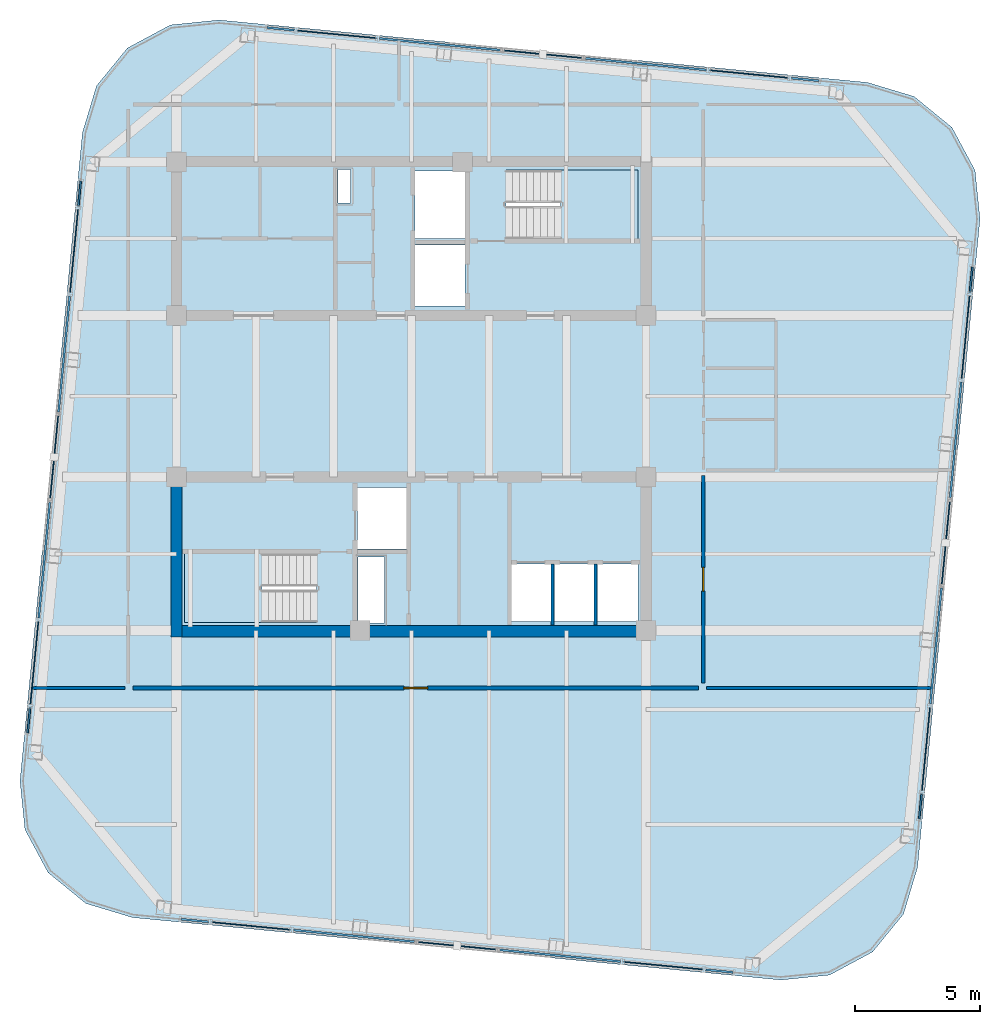
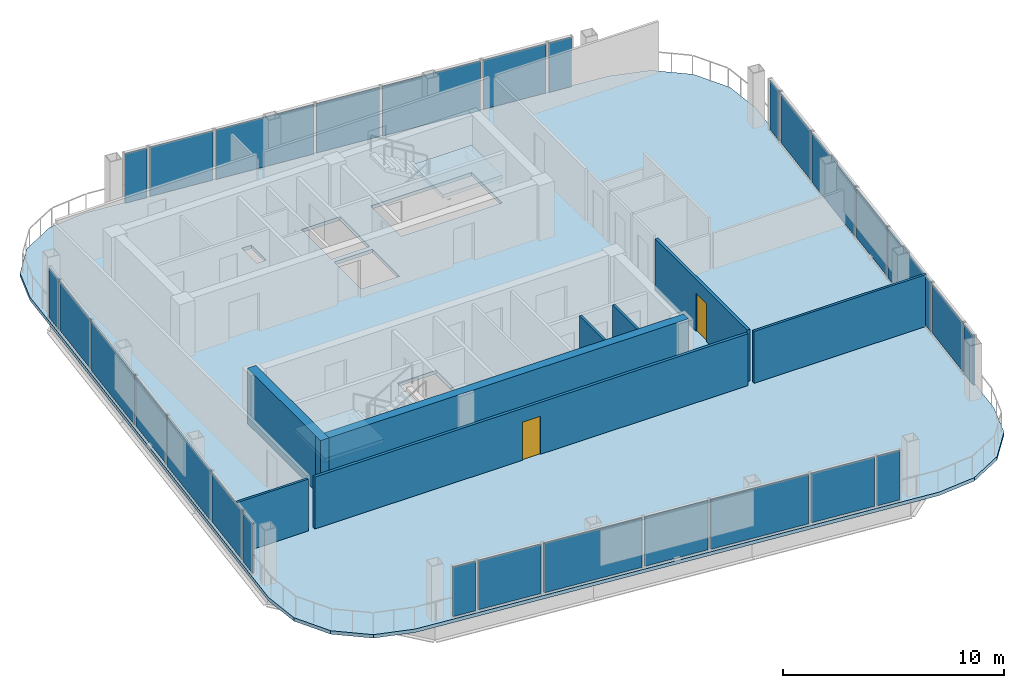
# One storey, part 16 of 22: 28 plates, 8 walls, 3 slabs, 2 doors, 2 openings, 30 elements without a shape of their own.
"""IFC4 building model written with IfcOpenShell, lengths in metres."""

from ifc_helpers import new_model, si_unit, direction, frame, frame_2d, origin, origin_2d, place, context, subcontext, project, spatial, polyline, rectangle, outline, extrude, material, layer, layer_set, type_object, element, fill, aggregate, save


model = new_model("IFC4")

# Units and contexts
model_context = context("Model", 3, precision=1e-05, world=origin(), true_north=direction((0.0, 1.0)))
body_context = subcontext(model_context, "Body", "Model", "MODEL_VIEW")
ifc_project = project(units=[si_unit("LENGTHUNIT", "METRE"), si_unit("AREAUNIT", "SQUARE_METRE"), si_unit("VOLUMEUNIT", "CUBIC_METRE"), si_unit("PLANEANGLEUNIT", "RADIAN"), si_unit("MASSUNIT", "GRAM", prefix="KILO")], contexts=[model_context])

# Site, building, storey
site_placement = place(None, origin())
site = spatial("IfcSite", under=ifc_project, at=site_placement, CompositionType="ELEMENT")
building_placement = place(site_placement, origin())
building = spatial("IfcBuilding", under=site, at=building_placement, Name="Qhalaya Broadcast Tower", CompositionType="ELEMENT")
storey_placement = place(building_placement, frame((0.0, 0.0, 245.89990234375)))
storey = spatial("IfcBuildingStorey", under=building, at=storey_placement, Name="L72", CompositionType="ELEMENT", Elevation=245.89990234375)

# Curtain wall, plate
ifc_material_1 = material(Name="Fired Architectural Terracotta", Category="masonry")
ifc_layer_1 = layer(ifc_material_1, 0.219970703125, Name="Fired Architectural Terracotta")
ifc_layer_set_1 = layer_set([ifc_layer_1], Name="Fired Architectural Terracotta")
curtain_wall_type_1 = type_object("IfcCurtainWallType", Name="Block-Cap Unitised Terracotta Spandrel Wall CW-07", PredefinedType="NOTDEFINED", material=ifc_layer_set_1)
curtain_wall_1_placement = place(storey_placement, origin())
curtain_wall_1 = element("IfcCurtainWall", 1, at=curtain_wall_1_placement, inside=storey, type_object=curtain_wall_type_1, Name="L72 Unitised Curtain Wall L72-CW-S1", PredefinedType="NOTDEFINED")
ifc_layer_2 = layer(ifc_material_1, 0.080078125, Name="Fired Architectural Terracotta")
ifc_layer_set_2 = layer_set([ifc_layer_2], Name="Fired Architectural Terracotta")
plate_type_1 = type_object("IfcPlateType", Name="Insulated Terracotta Spandrel Panel TSP-07", PredefinedType="CURTAIN_PANEL", material=ifc_layer_set_2)
plate_1_placement = place(storey_placement, frame((-8.650390625, -20.328857421875, 0.0751953125), z_axis=(0.0, 0.0, 1.0), x_axis=(0.995396414656, -0.095843506251, 0.0)))
plate_1 = element("IfcPlate", 2, at=plate_1_placement, type_object=plate_type_1, Name="CW-07 panel 1.1", PredefinedType="CURTAIN_PANEL", context=body_context, shape_type="SweptSolid", body=[
    extrude(rectangle(XDim=1.099853515625, YDim=0.080078125, at=origin_2d()), origin(), (0.0, 0.0, 1.0), 2.7099609375),
])
aggregate(curtain_wall_1, [plate_1])

curtain_wall_2_placement = place(storey_placement, origin())
curtain_wall_2 = element("IfcCurtainWall", 3, at=curtain_wall_2_placement, inside=storey, type_object=curtain_wall_type_1, Name="L72 Unitised Curtain Wall L72-CW-S3", PredefinedType="NOTDEFINED")
plate_2_placement = place(storey_placement, frame((-2.2880859375, -20.94140625, 0.0751953125), z_axis=(0.0, 0.0, 1.0), x_axis=(0.995394803391, -0.095860238798, 0.0)))
plate_2 = element("IfcPlate", 4, at=plate_2_placement, type_object=plate_type_1, Name="CW-07 panel 1.1", PredefinedType="CURTAIN_PANEL", context=body_context, shape_type="SweptSolid", body=[
    extrude(rectangle(XDim=4.85107421875, YDim=0.080078125, at=origin_2d()), origin(), (0.0, 0.0, 1.0), 2.7099609375),
])
aggregate(curtain_wall_2, [plate_2])

curtain_wall_3_placement = place(storey_placement, origin())
curtain_wall_3 = element("IfcCurtainWall", 5, at=curtain_wall_3_placement, inside=storey, type_object=curtain_wall_type_1, Name="L72 Unitised Curtain Wall L72-CW-S5", PredefinedType="NOTDEFINED")
plate_3_placement = place(storey_placement, frame((5.940185546875, -21.73388671875, 0.0751953125), z_axis=(0.0, 0.0, 1.0), x_axis=(0.995394873929, -0.095859506338, 0.0)))
plate_3 = element("IfcPlate", 6, at=plate_3_placement, type_object=plate_type_1, Name="CW-07 panel 1.1", PredefinedType="CURTAIN_PANEL", context=body_context, shape_type="SweptSolid", body=[
    extrude(rectangle(XDim=4.85009765625, YDim=0.080078125, at=origin_2d()), origin(), (0.0, 0.0, 1.0), 2.7099609375),
])
aggregate(curtain_wall_3, [plate_3])

curtain_wall_4_placement = place(storey_placement, origin())
curtain_wall_4 = element("IfcCurtainWall", 7, at=curtain_wall_4_placement, inside=storey, type_object=curtain_wall_type_1, Name="L72 Unitised Curtain Wall L72-CW-S7", PredefinedType="NOTDEFINED")
plate_4_placement = place(storey_placement, frame((12.302734375, -22.346435546875, 0.0751953125), z_axis=(0.0, 0.0, 1.0), x_axis=(0.995396414656, -0.095843506251, 0.0)))
plate_4 = element("IfcPlate", 8, at=plate_4_placement, type_object=plate_type_1, Name="CW-07 panel 1.1", PredefinedType="CURTAIN_PANEL", context=body_context, shape_type="SweptSolid", body=[
    extrude(rectangle(XDim=1.099853515625, YDim=0.080078125, at=origin_2d()), origin(), (0.0, 0.0, 1.0), 2.7099609375),
])
aggregate(curtain_wall_4, [plate_4])

curtain_wall_5_placement = place(storey_placement, origin())
curtain_wall_5 = element("IfcCurtainWall", 9, at=curtain_wall_5_placement, inside=storey, type_object=curtain_wall_type_1, Name="L72 Unitised Curtain Wall L72-CW-E1", PredefinedType="NOTDEFINED")
plate_5_placement = place(storey_placement, frame((20.32421875, -15.778076171875, 0.0751953125), z_axis=(0.0, 0.0, 1.0), x_axis=(0.095839545253, 0.995396796039, 0.0)))
plate_5 = element("IfcPlate", 10, at=plate_5_placement, type_object=plate_type_1, Name="CW-07 panel 1.1", PredefinedType="CURTAIN_PANEL", context=body_context, shape_type="SweptSolid", body=[
    extrude(rectangle(XDim=1.00390625, YDim=0.080078125, at=origin_2d()), origin(), (0.0, 0.0, 1.0), 2.7099609375),
])
aggregate(curtain_wall_5, [plate_5])

curtain_wall_6_placement = place(storey_placement, origin())
curtain_wall_6 = element("IfcCurtainWall", 11, at=curtain_wall_6_placement, inside=storey, type_object=curtain_wall_type_1, Name="L72 Unitised Curtain Wall L72-CW-E3", PredefinedType="NOTDEFINED")
plate_6_placement = place(storey_placement, frame((20.941650390625, -9.36767578125, 0.0751953125), z_axis=(0.0, 0.0, 1.0), x_axis=(0.095862212639, 0.995394613301, 0.0)))
plate_6 = element("IfcPlate", 12, at=plate_6_placement, type_object=plate_type_1, Name="CW-07 panel 1.1", PredefinedType="CURTAIN_PANEL", context=body_context, shape_type="SweptSolid", body=[
    extrude(rectangle(XDim=4.657958984375, YDim=0.080078125, at=origin_2d()), origin(), (0.0, 0.0, 1.0), 2.7099609375),
])
aggregate(curtain_wall_6, [plate_6])

curtain_wall_7_placement = place(storey_placement, origin())
curtain_wall_7 = element("IfcCurtainWall", 13, at=curtain_wall_7_placement, inside=storey, type_object=curtain_wall_type_1, Name="L72 Unitised Curtain Wall L72-CW-E5", PredefinedType="NOTDEFINED")
plate_7_placement = place(storey_placement, frame((21.73388671875, -1.1396484375, 0.0751953125), z_axis=(0.0, 0.0, 1.0), x_axis=(0.095860228044, 0.995394804427, 0.0)))
plate_7 = element("IfcPlate", 14, at=plate_7_placement, type_object=plate_type_1, Name="CW-07 panel 1.1", PredefinedType="CURTAIN_PANEL", context=body_context, shape_type="SweptSolid", body=[
    extrude(rectangle(XDim=4.657958984375, YDim=0.080078125, at=origin_2d()), origin(), (0.0, 0.0, 1.0), 2.7099609375),
])
aggregate(curtain_wall_7, [plate_7])

curtain_wall_8_placement = place(storey_placement, origin())
curtain_wall_8 = element("IfcCurtainWall", 15, at=curtain_wall_8_placement, inside=storey, type_object=curtain_wall_type_1, Name="L72 Unitised Curtain Wall L72-CW-E7", PredefinedType="NOTDEFINED")
plate_8_placement = place(storey_placement, frame((22.35107421875, 5.2705078125, 0.0751953125), z_axis=(0.0, 0.0, 1.0), x_axis=(0.095839545253, 0.995396796039, 0.0)))
plate_8 = element("IfcPlate", 16, at=plate_8_placement, type_object=plate_type_1, Name="CW-07 panel 1.1", PredefinedType="CURTAIN_PANEL", context=body_context, shape_type="SweptSolid", body=[
    extrude(rectangle(XDim=1.00390625, YDim=0.080078125, at=origin_2d()), origin(), (0.0, 0.0, 1.0), 2.7099609375),
])
aggregate(curtain_wall_8, [plate_8])

curtain_wall_9_placement = place(storey_placement, origin())
curtain_wall_9 = element("IfcCurtainWall", 17, at=curtain_wall_9_placement, inside=storey, type_object=curtain_wall_type_1, Name="L72 Unitised Curtain Wall L72-CW-N1", PredefinedType="NOTDEFINED")
plate_9_placement = place(storey_placement, frame((15.730224609375, 13.248779296875, 0.0751953125), z_axis=(0.0, 0.0, 1.0), x_axis=(-0.995396414656, 0.095843506251, 0.0)))
plate_9 = element("IfcPlate", 18, at=plate_9_placement, type_object=plate_type_1, Name="CW-07 panel 1.1", PredefinedType="CURTAIN_PANEL", context=body_context, shape_type="SweptSolid", body=[
    extrude(rectangle(XDim=1.099853515625, YDim=0.080078125, at=origin_2d()), origin(), (0.0, 0.0, 1.0), 2.7099609375),
])
aggregate(curtain_wall_9, [plate_9])

curtain_wall_10_placement = place(storey_placement, origin())
curtain_wall_10 = element("IfcCurtainWall", 19, at=curtain_wall_10_placement, inside=storey, type_object=curtain_wall_type_1, Name="L72 Unitised Curtain Wall L72-CW-N3", PredefinedType="NOTDEFINED")
plate_10_placement = place(storey_placement, frame((9.3681640625, 13.861572265625, 0.0751953125), z_axis=(0.0, 0.0, 1.0), x_axis=(-0.995394803391, 0.095860238798, 0.0)))
plate_10 = element("IfcPlate", 20, at=plate_10_placement, type_object=plate_type_1, Name="CW-07 panel 1.1", PredefinedType="CURTAIN_PANEL", context=body_context, shape_type="SweptSolid", body=[
    extrude(rectangle(XDim=4.85107421875, YDim=0.080078125, at=origin_2d()), origin(), (0.0, 0.0, 1.0), 2.7099609375),
])
aggregate(curtain_wall_10, [plate_10])

curtain_wall_11_placement = place(storey_placement, origin())
curtain_wall_11 = element("IfcCurtainWall", 21, at=curtain_wall_11_placement, inside=storey, type_object=curtain_wall_type_1, Name="L72 Unitised Curtain Wall L72-CW-N5", PredefinedType="NOTDEFINED")
plate_11_placement = place(storey_placement, frame((1.139892578125, 14.65380859375, 0.0751953125), z_axis=(0.0, 0.0, 1.0), x_axis=(-0.995394873929, 0.095859506338, 0.0)))
plate_11 = element("IfcPlate", 22, at=plate_11_placement, type_object=plate_type_1, Name="CW-07 panel 1.1", PredefinedType="CURTAIN_PANEL", context=body_context, shape_type="SweptSolid", body=[
    extrude(rectangle(XDim=4.85009765625, YDim=0.080078125, at=origin_2d()), origin(), (0.0, 0.0, 1.0), 2.7099609375),
])
aggregate(curtain_wall_11, [plate_11])

curtain_wall_12_placement = place(storey_placement, origin())
curtain_wall_12 = element("IfcCurtainWall", 23, at=curtain_wall_12_placement, inside=storey, type_object=curtain_wall_type_1, Name="L72 Unitised Curtain Wall L72-CW-N7", PredefinedType="NOTDEFINED")
plate_12_placement = place(storey_placement, frame((-5.222900390625, 15.2666015625, 0.0751953125), z_axis=(0.0, 0.0, 1.0), x_axis=(-0.995396414656, 0.095843506251, 0.0)))
plate_12 = element("IfcPlate", 24, at=plate_12_placement, type_object=plate_type_1, Name="CW-07 panel 1.1", PredefinedType="CURTAIN_PANEL", context=body_context, shape_type="SweptSolid", body=[
    extrude(rectangle(XDim=1.099853515625, YDim=0.080078125, at=origin_2d()), origin(), (0.0, 0.0, 1.0), 2.7099609375),
])
aggregate(curtain_wall_12, [plate_12])

curtain_wall_13_placement = place(storey_placement, origin())
curtain_wall_13 = element("IfcCurtainWall", 25, at=curtain_wall_13_placement, inside=storey, type_object=curtain_wall_type_1, Name="L72 Unitised Curtain Wall L72-CW-W1", PredefinedType="NOTDEFINED")
plate_13_placement = place(storey_placement, frame((-13.244384765625, 8.697998046875, 0.0751953125), z_axis=(0.0, 0.0, 1.0), x_axis=(-0.095839545253, -0.995396796039, 0.0)))
plate_13 = element("IfcPlate", 26, at=plate_13_placement, type_object=plate_type_1, Name="CW-07 panel 1.1", PredefinedType="CURTAIN_PANEL", context=body_context, shape_type="SweptSolid", body=[
    extrude(rectangle(XDim=1.00390625, YDim=0.080078125, at=origin_2d()), origin(), (0.0, 0.0, 1.0), 2.7099609375),
])
aggregate(curtain_wall_13, [plate_13])

curtain_wall_14_placement = place(storey_placement, origin())
curtain_wall_14 = element("IfcCurtainWall", 27, at=curtain_wall_14_placement, inside=storey, type_object=curtain_wall_type_1, Name="L72 Unitised Curtain Wall L72-CW-W3", PredefinedType="NOTDEFINED")
plate_14_placement = place(storey_placement, frame((-13.861572265625, 2.28759765625, 0.0751953125), z_axis=(0.0, 0.0, 1.0), x_axis=(-0.095862212639, -0.995394613301, 0.0)))
plate_14 = element("IfcPlate", 28, at=plate_14_placement, type_object=plate_type_1, Name="CW-07 panel 1.1", PredefinedType="CURTAIN_PANEL", context=body_context, shape_type="SweptSolid", body=[
    extrude(rectangle(XDim=4.657958984375, YDim=0.080078125, at=origin_2d()), origin(), (0.0, 0.0, 1.0), 2.7099609375),
])
aggregate(curtain_wall_14, [plate_14])

curtain_wall_15_placement = place(storey_placement, origin())
curtain_wall_15 = element("IfcCurtainWall", 29, at=curtain_wall_15_placement, inside=storey, type_object=curtain_wall_type_1, Name="L72 Unitised Curtain Wall L72-CW-W5", PredefinedType="NOTDEFINED")
plate_15_placement = place(storey_placement, frame((-14.65380859375, -5.940185546875, 0.0751953125), z_axis=(0.0, 0.0, 1.0), x_axis=(-0.095860228044, -0.995394804427, 0.0)))
plate_15 = element("IfcPlate", 30, at=plate_15_placement, type_object=plate_type_1, Name="CW-07 panel 1.1", PredefinedType="CURTAIN_PANEL", context=body_context, shape_type="SweptSolid", body=[
    extrude(rectangle(XDim=4.657958984375, YDim=0.080078125, at=origin_2d()), origin(), (0.0, 0.0, 1.0), 2.7099609375),
])
aggregate(curtain_wall_15, [plate_15])

curtain_wall_16_placement = place(storey_placement, origin())
curtain_wall_16 = element("IfcCurtainWall", 31, at=curtain_wall_16_placement, inside=storey, type_object=curtain_wall_type_1, Name="L72 Unitised Curtain Wall L72-CW-W7", PredefinedType="NOTDEFINED")
plate_16_placement = place(storey_placement, frame((-15.27099609375, -12.3505859375, 0.0751953125), z_axis=(0.0, 0.0, 1.0), x_axis=(-0.095839545253, -0.995396796039, 0.0)))
plate_16 = element("IfcPlate", 32, at=plate_16_placement, type_object=plate_type_1, Name="CW-07 panel 1.1", PredefinedType="CURTAIN_PANEL", context=body_context, shape_type="SweptSolid", body=[
    extrude(rectangle(XDim=1.00390625, YDim=0.080078125, at=origin_2d()), origin(), (0.0, 0.0, 1.0), 2.7099609375),
])
aggregate(curtain_wall_16, [plate_16])

ifc_material_2 = material(Name="Solar-Control Low-E Triple Glazing", Category="glass")
ifc_layer_3 = layer(ifc_material_2, 0.219970703125, Name="Solar-Control Low-E Triple Glazing")
ifc_layer_set_3 = layer_set([ifc_layer_3], Name="Solar-Control Low-E Triple Glazing")
curtain_wall_type_2 = type_object("IfcCurtainWallType", Name="High-Altitude Upper-Shaft Triple Low-E Curtain Wall CW-04", PredefinedType="NOTDEFINED", material=ifc_layer_set_3)
curtain_wall_17_placement = place(storey_placement, origin())
curtain_wall_17 = element("IfcCurtainWall", 33, at=curtain_wall_17_placement, inside=storey, type_object=curtain_wall_type_2, Name="L72 Unitised Curtain Wall L72-CW-S2", PredefinedType="NOTDEFINED")
ifc_layer_4 = layer(ifc_material_2, 0.0419921875, Name="Solar-Control Low-E Triple Glazing")
ifc_layer_set_4 = layer_set([ifc_layer_4], Name="Solar-Control Low-E Triple Glazing")
plate_type_2 = type_object("IfcPlateType", Name="Solar-Control Curtain Glazing Panel GLP-04", PredefinedType="CURTAIN_PANEL", material=ifc_layer_set_4)
plate_17_placement = place(storey_placement, frame((-6.402587890625, -20.54541015625, 0.0751953125), z_axis=(0.0, 0.0, 1.0), x_axis=(0.99539724102, -0.095834923543, 0.0)))
plate_17 = element("IfcPlate", 34, at=plate_17_placement, type_object=plate_type_2, Name="CW-04 panel 1.1", PredefinedType="CURTAIN_PANEL", context=body_context, shape_type="SweptSolid", body=[
    extrude(rectangle(XDim=3.115966796875, YDim=0.0419921875, at=origin_2d()), origin(), (0.0, 0.0, 1.0), 2.7099609375),
])
aggregate(curtain_wall_17, [plate_17])

curtain_wall_18_placement = place(storey_placement, origin())
curtain_wall_18 = element("IfcCurtainWall", 35, at=curtain_wall_18_placement, inside=storey, type_object=curtain_wall_type_2, Name="L72 Unitised Curtain Wall L72-CW-S4", PredefinedType="NOTDEFINED")
plate_18_placement = place(storey_placement, frame((1.826171875, -21.337646484375, 0.0751953125), z_axis=(0.0, 0.0, 1.0), x_axis=(0.995396959799, -0.095837844424, 0.0)))
plate_18 = element("IfcPlate", 36, at=plate_18_placement, type_object=plate_type_2, Name="CW-04 panel 1.1", PredefinedType="CURTAIN_PANEL", context=body_context, shape_type="SweptSolid", body=[
    extrude(rectangle(XDim=3.115966796875, YDim=0.0419921875, at=origin_2d()), origin(), (0.0, 0.0, 1.0), 2.7099609375),
])
aggregate(curtain_wall_18, [plate_18])

curtain_wall_19_placement = place(storey_placement, origin())
curtain_wall_19 = element("IfcCurtainWall", 37, at=curtain_wall_19_placement, inside=storey, type_object=curtain_wall_type_2, Name="L72 Unitised Curtain Wall L72-CW-S6", PredefinedType="NOTDEFINED")
plate_19_placement = place(storey_placement, frame((10.0546875, -22.130126953125, 0.0751953125), z_axis=(0.0, 0.0, 1.0), x_axis=(0.995397132343, -0.095836052317, 0.0)))
plate_19 = element("IfcPlate", 38, at=plate_19_placement, type_object=plate_type_2, Name="CW-04 panel 1.1", PredefinedType="CURTAIN_PANEL", context=body_context, shape_type="SweptSolid", body=[
    extrude(rectangle(XDim=3.116943359375, YDim=0.0419921875, at=origin_2d()), origin(), (0.0, 0.0, 1.0), 2.7099609375),
])
aggregate(curtain_wall_19, [plate_19])

curtain_wall_20_placement = place(storey_placement, origin())
curtain_wall_20 = element("IfcCurtainWall", 39, at=curtain_wall_20_placement, inside=storey, type_object=curtain_wall_type_2, Name="L72 Unitised Curtain Wall L72-CW-E2", PredefinedType="NOTDEFINED")
plate_20_placement = place(storey_placement, frame((20.54541015625, -13.482177734375, 0.0751953125), z_axis=(0.0, 0.0, 1.0), x_axis=(0.095836350923, 0.995397103593, 0.0)))
plate_20 = element("IfcPlate", 40, at=plate_20_placement, type_object=plate_type_2, Name="CW-04 panel 1.1", PredefinedType="CURTAIN_PANEL", context=body_context, shape_type="SweptSolid", body=[
    extrude(rectangle(XDim=3.30908203125, YDim=0.0419921875, at=origin_2d()), origin(), (0.0, 0.0, 1.0), 2.7099609375),
])
aggregate(curtain_wall_20, [plate_20])

curtain_wall_21_placement = place(storey_placement, origin())
curtain_wall_21 = element("IfcCurtainWall", 41, at=curtain_wall_21_placement, inside=storey, type_object=curtain_wall_type_2, Name="L72 Unitised Curtain Wall L72-CW-E4", PredefinedType="NOTDEFINED")
plate_21_placement = place(storey_placement, frame((21.337646484375, -5.253662109375, 0.0751953125), z_axis=(0.0, 0.0, 1.0), x_axis=(0.095835284901, 0.995397206229, 0.0)))
plate_21 = element("IfcPlate", 42, at=plate_21_placement, type_object=plate_type_2, Name="CW-04 panel 1.1", PredefinedType="CURTAIN_PANEL", context=body_context, shape_type="SweptSolid", body=[
    extrude(rectangle(XDim=3.30810546875, YDim=0.0419921875, at=origin_2d()), origin(), (0.0, 0.0, 1.0), 2.7099609375),
])
aggregate(curtain_wall_21, [plate_21])

curtain_wall_22_placement = place(storey_placement, origin())
curtain_wall_22 = element("IfcCurtainWall", 43, at=curtain_wall_22_placement, inside=storey, type_object=curtain_wall_type_2, Name="L72 Unitised Curtain Wall L72-CW-E6", PredefinedType="NOTDEFINED")
plate_22_placement = place(storey_placement, frame((22.130126953125, 2.974609375, 0.0751953125), z_axis=(0.0, 0.0, 1.0), x_axis=(0.095839108862, 0.995396838056, 0.0)))
plate_22 = element("IfcPlate", 44, at=plate_22_placement, type_object=plate_type_2, Name="CW-04 panel 1.1", PredefinedType="CURTAIN_PANEL", context=body_context, shape_type="SweptSolid", body=[
    extrude(rectangle(XDim=3.308837890625, YDim=0.0419921875, at=origin_2d()), origin(), (0.0, 0.0, 1.0), 2.7099609375),
])
aggregate(curtain_wall_22, [plate_22])

curtain_wall_23_placement = place(storey_placement, origin())
curtain_wall_23 = element("IfcCurtainWall", 45, at=curtain_wall_23_placement, inside=storey, type_object=curtain_wall_type_2, Name="L72 Unitised Curtain Wall L72-CW-N2", PredefinedType="NOTDEFINED")
plate_23_placement = place(storey_placement, frame((13.482666015625, 13.46533203125, 0.0751953125), z_axis=(0.0, 0.0, 1.0), x_axis=(-0.99539724102, 0.095834923543, 0.0)))
plate_23 = element("IfcPlate", 46, at=plate_23_placement, type_object=plate_type_2, Name="CW-04 panel 1.1", PredefinedType="CURTAIN_PANEL", context=body_context, shape_type="SweptSolid", body=[
    extrude(rectangle(XDim=3.115966796875, YDim=0.0419921875, at=origin_2d()), origin(), (0.0, 0.0, 1.0), 2.7099609375),
])
aggregate(curtain_wall_23, [plate_23])

curtain_wall_24_placement = place(storey_placement, origin())
curtain_wall_24 = element("IfcCurtainWall", 47, at=curtain_wall_24_placement, inside=storey, type_object=curtain_wall_type_2, Name="L72 Unitised Curtain Wall L72-CW-N4", PredefinedType="NOTDEFINED")
plate_24_placement = place(storey_placement, frame((5.253662109375, 14.2578125, 0.0751953125), z_axis=(0.0, 0.0, 1.0), x_axis=(-0.995396959799, 0.095837844424, 0.0)))
plate_24 = element("IfcPlate", 48, at=plate_24_placement, type_object=plate_type_2, Name="CW-04 panel 1.1", PredefinedType="CURTAIN_PANEL", context=body_context, shape_type="SweptSolid", body=[
    extrude(rectangle(XDim=3.115966796875, YDim=0.0419921875, at=origin_2d()), origin(), (0.0, 0.0, 1.0), 2.7099609375),
])
aggregate(curtain_wall_24, [plate_24])

curtain_wall_25_placement = place(storey_placement, origin())
curtain_wall_25 = element("IfcCurtainWall", 49, at=curtain_wall_25_placement, inside=storey, type_object=curtain_wall_type_2, Name="L72 Unitised Curtain Wall L72-CW-N6", PredefinedType="NOTDEFINED")
plate_25_placement = place(storey_placement, frame((-2.974609375, 15.050048828125, 0.0751953125), z_axis=(0.0, 0.0, 1.0), x_axis=(-0.995397132343, 0.095836052317, 0.0)))
plate_25 = element("IfcPlate", 50, at=plate_25_placement, type_object=plate_type_2, Name="CW-04 panel 1.1", PredefinedType="CURTAIN_PANEL", context=body_context, shape_type="SweptSolid", body=[
    extrude(rectangle(XDim=3.116943359375, YDim=0.0419921875, at=origin_2d()), origin(), (0.0, 0.0, 1.0), 2.7099609375),
])
aggregate(curtain_wall_25, [plate_25])

curtain_wall_26_placement = place(storey_placement, origin())
curtain_wall_26 = element("IfcCurtainWall", 51, at=curtain_wall_26_placement, inside=storey, type_object=curtain_wall_type_2, Name="L72 Unitised Curtain Wall L72-CW-W2", PredefinedType="NOTDEFINED")
plate_26_placement = place(storey_placement, frame((-13.46533203125, 6.402099609375, 0.0751953125), z_axis=(0.0, 0.0, 1.0), x_axis=(-0.095836350923, -0.995397103593, 0.0)))
plate_26 = element("IfcPlate", 52, at=plate_26_placement, type_object=plate_type_2, Name="CW-04 panel 1.1", PredefinedType="CURTAIN_PANEL", context=body_context, shape_type="SweptSolid", body=[
    extrude(rectangle(XDim=3.30908203125, YDim=0.0419921875, at=origin_2d()), origin(), (0.0, 0.0, 1.0), 2.7099609375),
])
aggregate(curtain_wall_26, [plate_26])

curtain_wall_27_placement = place(storey_placement, origin())
curtain_wall_27 = element("IfcCurtainWall", 53, at=curtain_wall_27_placement, inside=storey, type_object=curtain_wall_type_2, Name="L72 Unitised Curtain Wall L72-CW-W4", PredefinedType="NOTDEFINED")
plate_27_placement = place(storey_placement, frame((-14.2578125, -1.826171875, 0.0751953125), z_axis=(0.0, 0.0, 1.0), x_axis=(-0.095835284901, -0.995397206229, 0.0)))
plate_27 = element("IfcPlate", 54, at=plate_27_placement, type_object=plate_type_2, Name="CW-04 panel 1.1", PredefinedType="CURTAIN_PANEL", context=body_context, shape_type="SweptSolid", body=[
    extrude(rectangle(XDim=3.30810546875, YDim=0.0419921875, at=origin_2d()), origin(), (0.0, 0.0, 1.0), 2.7099609375),
])
aggregate(curtain_wall_27, [plate_27])

curtain_wall_28_placement = place(storey_placement, origin())
curtain_wall_28 = element("IfcCurtainWall", 55, at=curtain_wall_28_placement, inside=storey, type_object=curtain_wall_type_2, Name="L72 Unitised Curtain Wall L72-CW-W6", PredefinedType="NOTDEFINED")
plate_28_placement = place(storey_placement, frame((-15.050048828125, -10.0546875, 0.0751953125), z_axis=(0.0, 0.0, 1.0), x_axis=(-0.095839108862, -0.995396838056, 0.0)))
plate_28 = element("IfcPlate", 56, at=plate_28_placement, type_object=plate_type_2, Name="CW-04 panel 1.1", PredefinedType="CURTAIN_PANEL", context=body_context, shape_type="SweptSolid", body=[
    extrude(rectangle(XDim=3.308837890625, YDim=0.0419921875, at=origin_2d()), origin(), (0.0, 0.0, 1.0), 2.7099609375),
])
aggregate(curtain_wall_28, [plate_28])

# Stair, slab
ifc_material_3 = material(Name="Concrete C40/50", Category="concrete")
stair_type = type_object("IfcStairType", Name="Protected Dogleg Core Stair 3150", PredefinedType="TWO_STRAIGHT_RUN_STAIR", material=ifc_material_3)
stair_1_placement = place(storey_placement, origin())
stair_1 = element("IfcStair", 57, at=stair_1_placement, inside=storey, type_object=stair_type, Name="L72 North Core Exit Stair ST-1", PredefinedType="TWO_STRAIGHT_RUN_STAIR")
ifc_layer_5 = layer(ifc_material_3, 0.199951171875, Name="Concrete C40/50")
ifc_layer_set_5 = layer_set([ifc_layer_5], Name="Concrete C40/50")
slab_type_1 = type_object("IfcSlabType", Name="Stair & Ramp Half-Landing Slab 200", PredefinedType="LANDING", material=ifc_layer_set_5)
slab_1_placement = place(storey_placement, frame((0.0, 0.0, 1.3251953125)))
slab_1 = element("IfcSlab", 58, at=slab_1_placement, type_object=slab_type_1, Name="ST-1 landing 1", PredefinedType="LANDING", context=body_context, shape_type="SweptSolid", body=[
    extrude(outline(polyline([(5.955078125, 6.8798828125), (9.050048828125, 6.8798828125), (9.050048828125, 9.639892578125), (5.955078125, 9.639892578125), (5.955078125, 6.8798828125)])), origin(), (0.0, 0.0, 1.0), 0.199951171875),
])
aggregate(stair_1, [slab_1])

stair_2_placement = place(storey_placement, origin())
stair_2 = element("IfcStair", 59, at=stair_2_placement, inside=storey, type_object=stair_type, Name="L72 South Core Exit Stair ST-2", PredefinedType="TWO_STRAIGHT_RUN_STAIR")
slab_2_placement = place(storey_placement, frame((0.0, 0.0, 1.3251953125)))
slab_2 = element("IfcSlab", 60, at=slab_2_placement, type_object=slab_type_1, Name="ST-2 landing 1", PredefinedType="LANDING", context=body_context, shape_type="SweptSolid", body=[
    extrude(outline(polyline([(-5.955078125, -5.679931640625), (-9.050048828125, -5.679931640625), (-9.050048828125, -8.43994140625), (-5.955078125, -8.43994140625), (-5.955078125, -5.679931640625)])), origin(), (0.0, 0.0, 1.0), 0.199951171875),
])
aggregate(stair_2, [slab_2])

# Slab
ifc_layer_6 = layer(ifc_material_3, 0.18994140625, Name="Concrete C40/50")
ifc_layer_set_6 = layer_set([ifc_layer_6], Name="Concrete C40/50")
slab_type_2 = type_object("IfcSlabType", Name="Upper Tower Composite Floor Slab 190", PredefinedType="FLOOR", material=ifc_layer_set_6)
slab_3_placement = place(storey_placement, frame((0.0, 0.0, -0.18994140625)))
element("IfcSlab", 61, at=slab_3_placement, inside=storey, type_object=slab_type_2, Name="L72 Main Structural Floor Slab", PredefinedType="FLOOR", context=body_context, shape_type="SweptSolid", body=[
    extrude(outline(polyline([(14.7548828125, -22.703125), (16.696044921875, -22.5078125), (18.41455078125, -21.584228515625), (19.64892578125, -20.073486328125), (20.211181640625, -18.205322265625), (22.703125, 7.6748046875), (22.5078125, 9.615966796875), (21.584228515625, 11.33447265625), (20.073486328125, 12.56884765625), (18.205322265625, 13.131103515625), (-7.6748046875, 15.623046875), (-9.615966796875, 15.427734375), (-11.33447265625, 14.50439453125), (-12.56884765625, 12.993408203125), (-13.131103515625, 11.12548828125), (-15.623046875, -14.7548828125), (-15.427734375, -16.696044921875), (-14.50439453125, -18.41455078125), (-12.993408203125, -19.64892578125), (-11.12548828125, -20.211181640625), (14.7548828125, -22.703125)]), holes=[polyline([(3.784912109375, 9.639892578125), (9.050048828125, 9.639892578125), (9.050048828125, 6.8798828125), (3.784912109375, 6.8798828125), (3.784912109375, 9.639892578125)]), polyline([(-3.784912109375, -8.43994140625), (-9.050048828125, -8.43994140625), (-9.050048828125, -5.679931640625), (-3.784912109375, -5.679931640625), (-3.784912109375, -8.43994140625)]), polyline([(0.14990234375, 6.64990234375), (2.14990234375, 6.64990234375), (2.14990234375, 4.199951171875), (0.14990234375, 4.199951171875), (0.14990234375, 6.64990234375)]), polyline([(0.14990234375, 9.60009765625), (2.14990234375, 9.60009765625), (2.14990234375, 6.89990234375), (0.14990234375, 6.89990234375), (0.14990234375, 9.60009765625)]), polyline([(-2.14990234375, -3.050048828125), (-0.14990234375, -3.050048828125), (-0.14990234375, -5.5), (-2.14990234375, -5.5), (-2.14990234375, -3.050048828125)]), polyline([(4.0, -6.10009765625), (5.60009765625, -6.10009765625), (5.60009765625, -8.39990234375), (4.0, -8.39990234375), (4.0, -6.10009765625)]), polyline([(5.719970703125, -6.10009765625), (7.320068359375, -6.10009765625), (7.320068359375, -8.39990234375), (5.719970703125, -8.39990234375), (5.719970703125, -6.10009765625)]), polyline([(7.43994140625, -6.10009765625), (9.0400390625, -6.10009765625), (9.0400390625, -8.39990234375), (7.43994140625, -8.39990234375), (7.43994140625, -6.10009765625)]), polyline([(-2.919921875, 9.659912109375), (-2.419921875, 9.659912109375), (-2.419921875, 8.320068359375), (-2.919921875, 8.320068359375), (-2.919921875, 9.659912109375)]), polyline([(-2.1201171875, -5.820068359375), (-1.080078125, -5.820068359375), (-1.080078125, -8.4599609375), (-2.1201171875, -8.4599609375), (-2.1201171875, -5.820068359375)])]), origin(), (0.0, 0.0, 1.0), 0.18994140625),
])

# Wall, opening, door
ifc_material_4 = material(Name="Gypsum Acoustic Partition")
ifc_layer_7 = layer(ifc_material_4, 0.14990234375, Name="Gypsum Acoustic Partition")
ifc_layer_set_7 = layer_set([ifc_layer_7], Name="Gypsum Acoustic Partition")
wall_type_1 = type_object("IfcWallType", Name="Corridor & Tenancy Acoustic Partition 150", PredefinedType="PARTITIONING", material=ifc_layer_set_7)
wall_1_placement = place(storey_placement, frame((-11.1201171875, -11.050048828125, 0.0), z_axis=(0.0, 0.0, 1.0), x_axis=(1.0, 0.0, 0.0)))
wall_1 = element("IfcWall", 62, at=wall_1_placement, inside=storey, type_object=wall_type_1, Name="L72 Partition Wall W-COR-03", PredefinedType="PARTITIONING", context=body_context, shape_type="SweptSolid", body=[
    extrude(rectangle(XDim=22.590087890625, YDim=0.14990234375, at=frame_2d((11.294921875, 0.0))), origin(), (0.0, 0.0, 1.0), 2.860107421875),
])
opening_1_placement = place(wall_1_placement, frame((10.820068359375, 0.0, 0.0)))
opening_1 = element("IfcOpeningElement", 63, at=opening_1_placement, cuts=wall_1, Name="Opening D10", PredefinedType="OPENING", context=body_context, shape_type="SweptSolid", body=[
    extrude(rectangle(XDim=0.949951171875, YDim=2.10009765625, at=frame_2d((0.47509765625, 1.050048828125))), frame((0.0, 0.0869140625, 0.0), z_axis=(0.0, -1.0, 0.0), x_axis=(1.0, 0.0, 0.0)), (0.0, 0.0, 1.0), 0.173828125),
])
ifc_material_5 = material(Name="Timber Veneer Acoustic Door", Category="wood")
door_type = type_object("IfcDoorType", Name="Cellular Office & Edit Booth Door D10", OperationType="NOTDEFINED", PredefinedType="DOOR", material=ifc_material_5)
door_1_placement = place(opening_1_placement, origin())
door_1 = element("IfcDoor", 64, at=door_1_placement, inside=storey, type_object=door_type, Name="L72 Door D-RM03", OperationType="SINGLE_SWING_RIGHT", OverallHeight=2.10009765625, OverallWidth=0.949951171875, PredefinedType="DOOR", context=body_context, shape_type="SweptSolid", body=[
    extrude(rectangle(XDim=0.949951171875, YDim=2.10009765625, at=frame_2d((0.47509765625, 1.050048828125))), frame((0.0, 0.02490234375, 0.0), z_axis=(0.0, -1.0, 0.0), x_axis=(1.0, 0.0, 0.0)), (0.0, 0.0, 1.0), 0.050048828125),
])
fill(opening_1, door_1)

wall_2_placement = place(storey_placement, frame((11.64990234375, -10.85009765625, 0.0), z_axis=(0.0, 0.0, 1.0), x_axis=(0.0, 1.0, 0.0)))
wall_2 = element("IfcWall", 65, at=wall_2_placement, inside=storey, type_object=wall_type_1, Name="L72 Partition Wall W-COR-05", PredefinedType="PARTITIONING", context=body_context, shape_type="SweptSolid", body=[
    extrude(rectangle(XDim=8.2900390625, YDim=0.14990234375, at=frame_2d((4.14501953125, 0.0))), origin(), (0.0, 0.0, 1.0), 2.860107421875),
])
opening_2_placement = place(wall_2_placement, frame((3.669921875, 0.0, 0.0)))
opening_2 = element("IfcOpeningElement", 66, at=opening_2_placement, cuts=wall_2, Name="Opening D10", PredefinedType="OPENING", context=body_context, shape_type="SweptSolid", body=[
    extrude(rectangle(XDim=0.949951171875, YDim=2.10009765625, at=frame_2d((0.47509765625, 1.050048828125))), frame((0.0, 0.0869140625, 0.0), z_axis=(0.0, -1.0, 0.0), x_axis=(1.0, 0.0, 0.0)), (0.0, 0.0, 1.0), 0.173828125),
])
door_2_placement = place(opening_2_placement, origin())
door_2 = element("IfcDoor", 67, at=door_2_placement, inside=storey, type_object=door_type, Name="L72 Door D-RM05", OperationType="SINGLE_SWING_RIGHT", OverallHeight=2.10009765625, OverallWidth=0.949951171875, PredefinedType="DOOR", context=body_context, shape_type="SweptSolid", body=[
    extrude(rectangle(XDim=0.949951171875, YDim=2.10009765625, at=frame_2d((0.47509765625, 1.050048828125))), frame((0.0, 0.02490234375, 0.0), z_axis=(0.0, -1.0, 0.0), x_axis=(1.0, 0.0, 0.0)), (0.0, 0.0, 1.0), 0.050048828125),
])
fill(opening_2, door_2)

# Walls
ifc_layer_8 = layer(ifc_material_4, 0.1201171875, Name="Gypsum Acoustic Partition")
ifc_layer_set_8 = layer_set([ifc_layer_8], Name="Gypsum Acoustic Partition")
wall_type_2 = type_object("IfcWallType", Name="Office, Booth & Sanitary Partition 120", PredefinedType="PARTITIONING", material=ifc_layer_set_8)
for number, where, z_axis, x_axis, name in (
    (68, (5.639892578125, -8.530029296875, 0.0), (0.0, 0.0, 1.0), (0.0, 1.0, 0.0), "L72 Partition Wall SCW-HD6"),
    (69, (7.360107421875, -8.530029296875, 0.0), (0.0, 0.0, 1.0), (0.0, 1.0, 0.0), "L72 Partition Wall SCW-HD7"),
):
    element("IfcWall", number, at=place(storey_placement, frame(where, z_axis=z_axis, x_axis=x_axis)), inside=storey, type_object=wall_type_2, Name=name, PredefinedType="PARTITIONING", context=body_context, shape_type="SweptSolid", body=[
        extrude(rectangle(XDim=2.429931640625, YDim=0.1201171875, at=frame_2d((1.21484375, 0.0))), origin(), (0.0, 0.0, 1.0), 2.860107421875),
    ])
wall_3_placement = place(storey_placement, frame((-15.145751953125, -11.050048828125, 0.0), z_axis=(0.0, 0.0, 1.0), x_axis=(1.0, 0.0, 0.0)))
element("IfcWall", 70, at=wall_3_placement, inside=storey, type_object=wall_type_2, Name="L72 Partition Wall W-BNDW2", PredefinedType="PARTITIONING", context=body_context, shape_type="SweptSolid", body=[
    extrude(rectangle(XDim=3.705810546875, YDim=0.1201171875, at=frame_2d((1.85302734375, 0.0))), origin(), (0.0, 0.0, 1.0), 2.860107421875),
])
wall_4_placement = place(storey_placement, frame((11.7900390625, -11.050048828125, 0.0), z_axis=(0.0, 0.0, 1.0), x_axis=(1.0, 0.0, 0.0)))
element("IfcWall", 71, at=wall_4_placement, inside=storey, type_object=wall_type_2, Name="L72 Partition Wall W-BNDE2", PredefinedType="PARTITIONING", context=body_context, shape_type="SweptSolid", body=[
    extrude(rectangle(XDim=8.989501953125, YDim=0.1201171875, at=frame_2d((4.49462890625, 0.0))), origin(), (0.0, 0.0, 1.0), 2.860107421875),
])
ifc_material_6 = material(Name="Concrete C50/60", Category="concrete")
ifc_layer_9 = layer(ifc_material_6, 0.449951171875, Name="Concrete C50/60")
ifc_layer_set_9 = layer_set([ifc_layer_9], Name="Concrete C50/60")
wall_type_3 = type_object("IfcWallType", Name="Upper Split-Core Shear Wall 450", PredefinedType="SHEAR", material=ifc_layer_set_9)
wall_5_placement = place(storey_placement, frame((-9.60009765625, -8.77490234375, 0.0), z_axis=(0.0, 0.0, 1.0), x_axis=(1.0, 0.0, 0.0)))
element("IfcWall", 72, at=wall_5_placement, inside=storey, type_object=wall_type_3, Name="L72 Split-Core Shear Wall CW-SS", PredefinedType="SHEAR", context=body_context, shape_type="SweptSolid", body=[
    extrude(rectangle(XDim=19.2001953125, YDim=0.449951171875, at=frame_2d((9.60009765625, 0.0))), origin(), (0.0, 0.0, 1.0), 3.050048828125),
])
wall_6_placement = place(storey_placement, frame((-9.375, -9.0, 0.0), z_axis=(0.0, 0.0, 1.0), x_axis=(0.0, 1.0, 0.0)))
element("IfcWall", 73, at=wall_6_placement, inside=storey, type_object=wall_type_3, Name="L72 Split-Core Shear Wall CW-SW", PredefinedType="SHEAR", context=body_context, shape_type="SweptSolid", body=[
    extrude(rectangle(XDim=6.60009765625, YDim=0.449951171875, at=frame_2d((3.300048828125, 0.0))), origin(), (0.0, 0.0, 1.0), 3.050048828125),
])

save(model, "model.ifc")
